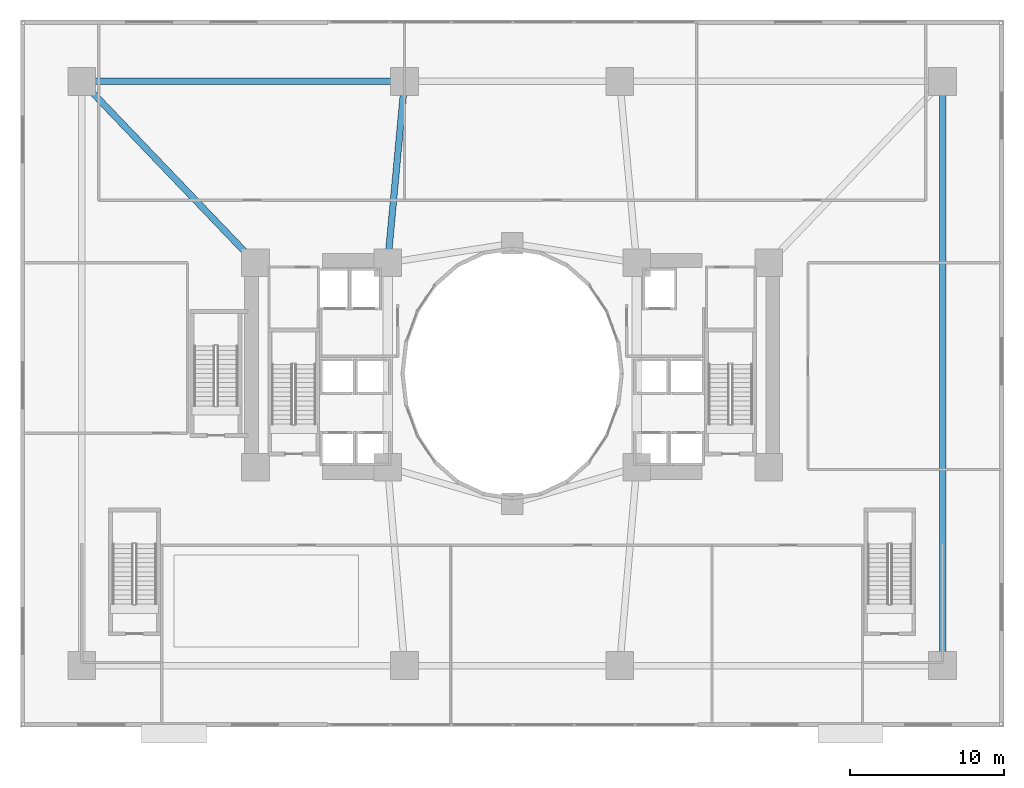
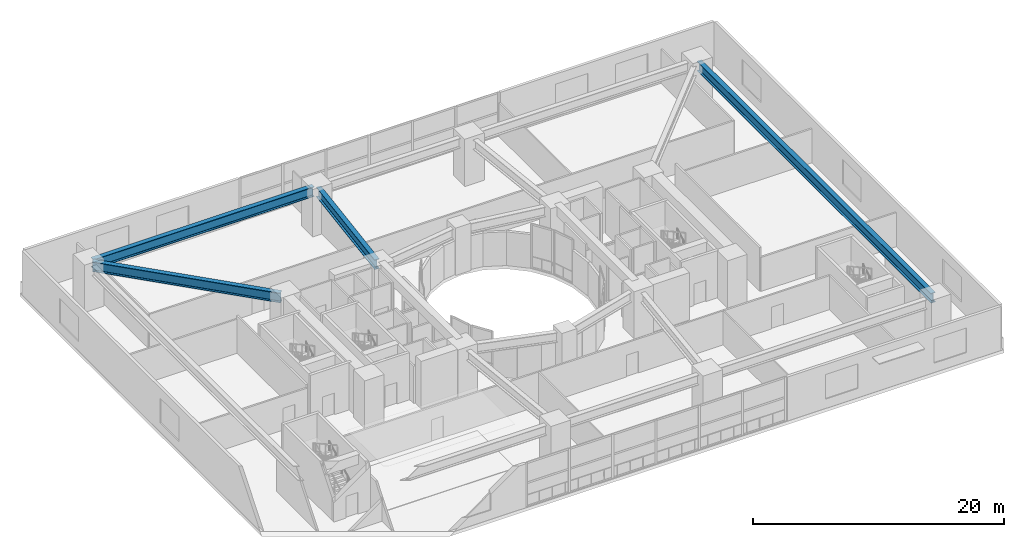
# One storey, part 9 of 25: 4 beams.
"""IFC4 building model written with IfcOpenShell, lengths in metres."""

from ifc_helpers import new_model, si_unit, direction, frame, origin, origin_2d, place, context, subcontext, project, spatial, i_section, extrude, material, material_profile, profile_set, type_object, element, save


model = new_model("IFC4")

# Units and contexts
model_context = context("Model", 3, precision=1e-05, world=origin(), true_north=direction((0.0, 1.0)))
body_context = subcontext(model_context, "Body", "Model", "MODEL_VIEW")
ifc_project = project(units=[si_unit("LENGTHUNIT", "METRE"), si_unit("AREAUNIT", "SQUARE_METRE"), si_unit("VOLUMEUNIT", "CUBIC_METRE"), si_unit("PLANEANGLEUNIT", "RADIAN"), si_unit("MASSUNIT", "GRAM", prefix="KILO")], contexts=[model_context])

# Site, building, storey
site_placement = place(None, origin())
site = spatial("IfcSite", under=ifc_project, at=site_placement, CompositionType="ELEMENT")
building_placement = place(site_placement, origin())
building = spatial("IfcBuilding", under=site, at=building_placement, Name="Solvane Sanctuary Tower", CompositionType="ELEMENT")
storey_placement = place(building_placement, frame((0.0, 0.0, 13.800048828125)))
storey = spatial("IfcBuildingStorey", under=building, at=storey_placement, Name="L04", CompositionType="ELEMENT", Elevation=13.800048828125)

# Beams
ifc_material = material(Name="Steel ASTM A913 Grade 65", Category="steel")
ifc_material_profile = material_profile(ifc_material, i_section(OverallWidth=0.423095703125, OverallDepth=0.947998046875, WebThickness=0.02392578125, FlangeThickness=0.042724609375, FilletRadius=0.02392578125, at=origin_2d()), Name="W36X302")
ifc_profile_set = profile_set([ifc_material_profile], Name="Steel ASTM A913 Grade 65")
beam_type = type_object("IfcBeamType", Name="Beam B-POD-GIRD W36X302", PredefinedType="BEAM", material=ifc_profile_set)
beam_1_placement = place(storey_placement, frame((60.0, 4.35009765625, 3.803955078125), z_axis=(0.0, 1.0, 0.0), x_axis=(-1.0, 0.0, 0.0)))
element("IfcBeam", 1, at=beam_1_placement, inside=storey, type_object=beam_type, Name="L04 Podium Primary Girder PG4", PredefinedType="BEAM", context=body_context, shape_type="SweptSolid", body=[
    extrude(i_section(OverallWidth=0.423095703125, OverallDepth=0.947998046875, WebThickness=0.02392578125, FlangeThickness=0.042724609375, FilletRadius=0.02392578125, at=origin_2d()), origin(), (0.0, 0.0, 1.0), 37.2998046875),
])
beam_2_placement = place(storey_placement, frame((24.64990234375, 42.0, 3.803955078125), z_axis=(-1.0, 0.0, 0.0), x_axis=(0.0, -1.0, 0.0)))
element("IfcBeam", 2, at=beam_2_placement, inside=storey, type_object=beam_type, Name="L04 Podium Primary Girder PG7", PredefinedType="BEAM", context=body_context, shape_type="SweptSolid", body=[
    extrude(i_section(OverallWidth=0.423095703125, OverallDepth=0.947998046875, WebThickness=0.02392578125, FlangeThickness=0.042724609375, FilletRadius=0.02392578125, at=origin_2d()), origin(), (0.0, 0.0, 1.0), 20.2998046875),
])
beam_3_placement = place(storey_placement, frame((24.967529296875, 41.651611328125, 3.803955078125), z_axis=(-0.092807615301, -0.9956840596, 0.0), x_axis=(0.9956840596, -0.092807615301, 0.0)))
element("IfcBeam", 3, at=beam_3_placement, inside=storey, type_object=beam_type, Name="L04 Podium Primary Girder PG11", PredefinedType="BEAM", context=body_context, shape_type="SweptSolid", body=[
    extrude(i_section(OverallWidth=0.423095703125, OverallDepth=0.947998046875, WebThickness=0.02392578125, FlangeThickness=0.042724609375, FilletRadius=0.02392578125, at=origin_2d()), origin(), (0.0, 0.0, 1.0), 11.151123046875),
])
beam_4_placement = place(storey_placement, frame((4.2421875, 41.747314453125, 3.803955078125), z_axis=(0.691633366234, -0.722248770654, 0.0), x_axis=(0.722248770654, 0.691633366234, 0.0)))
element("IfcBeam", 4, at=beam_4_placement, inside=storey, type_object=beam_type, Name="L04 Podium Primary Girder PG14", PredefinedType="BEAM", context=body_context, shape_type="SweptSolid", body=[
    extrude(i_section(OverallWidth=0.423095703125, OverallDepth=0.947998046875, WebThickness=0.02392578125, FlangeThickness=0.042724609375, FilletRadius=0.02392578125, at=origin_2d()), origin(), (0.0, 0.0, 1.0), 15.637939453125),
])

save(model, "model.ifc")
